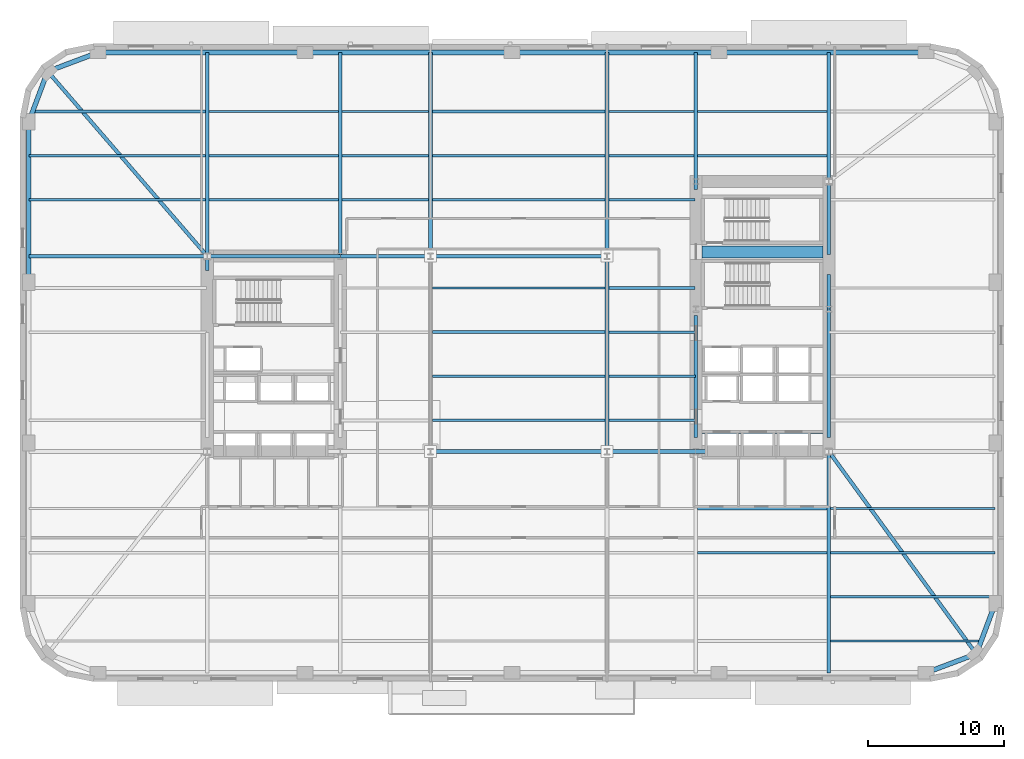
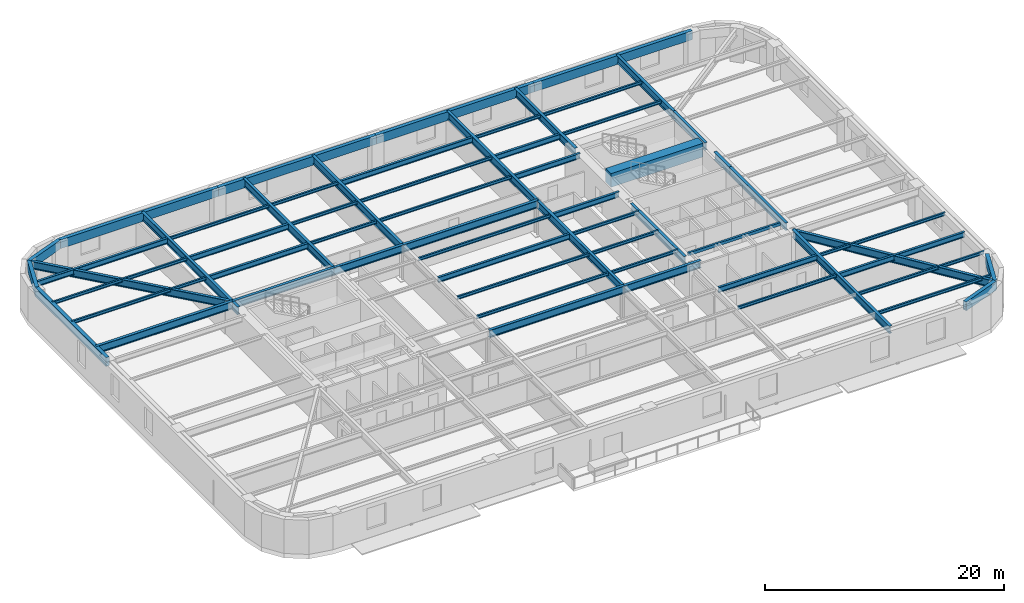
# One storey, part 2 of 15: 62 beams.
"""IFC4 building model written with IfcOpenShell, lengths in metres."""

from ifc_helpers import new_model, si_unit, direction, frame, origin, origin_2d, place, context, subcontext, project, spatial, rectangle, hollow_rectangle, i_section, extrude, material, material_profile, profile_set, type_object, element, save


model = new_model("IFC4")

# Units and contexts
model_context = context("Model", 3, precision=1e-05, world=origin(), true_north=direction((0.0, 1.0)))
body_context = subcontext(model_context, "Body", "Model", "MODEL_VIEW")
ifc_project = project(units=[si_unit("LENGTHUNIT", "METRE"), si_unit("AREAUNIT", "SQUARE_METRE"), si_unit("VOLUMEUNIT", "CUBIC_METRE"), si_unit("PLANEANGLEUNIT", "RADIAN"), si_unit("MASSUNIT", "GRAM", prefix="KILO")], contexts=[model_context])

# Site, building, storey
site_placement = place(None, origin())
site = spatial("IfcSite", under=ifc_project, at=site_placement, CompositionType="ELEMENT")
building_placement = place(site_placement, origin())
building = spatial("IfcBuilding", under=site, at=building_placement, Name="Kolvaren Arena Tower", CompositionType="ELEMENT")
storey_placement = place(building_placement, frame((0.0, 0.0, 42.0)))
storey = spatial("IfcBuildingStorey", under=building, at=storey_placement, Name="L07", CompositionType="ELEMENT", Elevation=42.0)

# Beams
ifc_material_1 = material(Name="Steel CSA G40.21 350W", Category="steel")
ifc_material_profile_1 = material_profile(ifc_material_1, i_section(OverallWidth=0.2119140625, OverallDepth=0.54296875, WebThickness=0.01318359375, FlangeThickness=0.0244140625, FilletRadius=0.013916015625, at=origin_2d()), Name="W530x150")
ifc_profile_set_1 = profile_set([ifc_material_profile_1], Name="Steel CSA G40.21 350W")
beam_type_1 = type_object("IfcBeamType", Name="BEAM-F1", PredefinedType="BEAM", material=ifc_profile_set_1)
beam_1_placement = place(storey_placement, frame((60.485107421875, 12.0, 3.20849609375), z_axis=(1.0, 0.0, 0.0), x_axis=(0.0, 1.0, 0.0)))
element("IfcBeam", 1, at=beam_1_placement, inside=storey, type_object=beam_type_1, Name="Composite Floor Beam (L07)", PredefinedType="BEAM", context=body_context, shape_type="SweptSolid", body=[
    extrude(i_section(OverallWidth=0.2119140625, OverallDepth=0.54296875, WebThickness=0.01318359375, FlangeThickness=0.0244140625, FilletRadius=0.013916015625, at=origin_2d()), origin(), (0.0, 0.0, 1.0), 12.114990234375),
])
beam_2_placement = place(storey_placement, frame((50.68505859375, 15.25, 3.20849609375), z_axis=(1.0, 0.0, 0.0), x_axis=(0.0, 1.0, 0.0)))
element("IfcBeam", 2, at=beam_2_placement, inside=storey, type_object=beam_type_1, Name="Composite Floor Beam (L07)", PredefinedType="BEAM", context=body_context, shape_type="SweptSolid", body=[
    extrude(i_section(OverallWidth=0.2119140625, OverallDepth=0.54296875, WebThickness=0.01318359375, FlangeThickness=0.0244140625, FilletRadius=0.013916015625, at=origin_2d()), origin(), (0.0, 0.0, 1.0), 9.530029296875),
])
beam_3_placement = place(storey_placement, frame((31.135009765625, 28.25, 3.20849609375), z_axis=(1.0, 0.0, 0.0), x_axis=(0.0, 1.0, 0.0)))
element("IfcBeam", 3, at=beam_3_placement, inside=storey, type_object=beam_type_1, Name="Composite Floor Beam (L07)", PredefinedType="BEAM", context=body_context, shape_type="SweptSolid", body=[
    extrude(i_section(OverallWidth=0.2119140625, OverallDepth=0.54296875, WebThickness=0.01318359375, FlangeThickness=0.0244140625, FilletRadius=0.013916015625, at=origin_2d()), origin(), (0.0, 0.0, 1.0), 12.72998046875),
])
beam_4_placement = place(storey_placement, frame((44.135009765625, 31.5, 3.20849609375), z_axis=(1.0, 0.0, 0.0), x_axis=(0.0, 1.0, 0.0)))
element("IfcBeam", 4, at=beam_4_placement, inside=storey, type_object=beam_type_1, Name="Composite Floor Beam (L07)", PredefinedType="BEAM", context=body_context, shape_type="SweptSolid", body=[
    extrude(i_section(OverallWidth=0.2119140625, OverallDepth=0.54296875, WebThickness=0.01318359375, FlangeThickness=0.0244140625, FilletRadius=0.013916015625, at=origin_2d()), origin(), (0.0, 0.0, 1.0), 6.344970703125),
])
beam_5_placement = place(storey_placement, frame((14.68505859375, 38.0, 3.20849609375), z_axis=(1.0, 0.0, 0.0), x_axis=(0.0, 1.0, 0.0)))
element("IfcBeam", 5, at=beam_5_placement, inside=storey, type_object=beam_type_1, Name="Composite Floor Beam (L07)", PredefinedType="BEAM", context=body_context, shape_type="SweptSolid", body=[
    extrude(i_section(OverallWidth=0.2119140625, OverallDepth=0.54296875, WebThickness=0.01318359375, FlangeThickness=0.0244140625, FilletRadius=0.013916015625, at=origin_2d()), origin(), (0.0, 0.0, 1.0), 9.530029296875),
])
beam_6_placement = place(storey_placement, frame((44.135009765625, 38.0, 3.20849609375), z_axis=(1.0, 0.0, 0.0), x_axis=(0.0, 1.0, 0.0)))
element("IfcBeam", 6, at=beam_6_placement, inside=storey, type_object=beam_type_1, Name="Composite Floor Beam (L07)", PredefinedType="BEAM", context=body_context, shape_type="SweptSolid", body=[
    extrude(i_section(OverallWidth=0.2119140625, OverallDepth=0.54296875, WebThickness=0.01318359375, FlangeThickness=0.0244140625, FilletRadius=0.013916015625, at=origin_2d()), origin(), (0.0, 0.0, 1.0), 6.344970703125),
])
beam_7_placement = place(storey_placement, frame((14.68505859375, 41.25, 3.20849609375), z_axis=(1.0, 0.0, 0.0), x_axis=(0.0, 1.0, 0.0)))
element("IfcBeam", 7, at=beam_7_placement, inside=storey, type_object=beam_type_1, Name="Composite Floor Beam (L07)", PredefinedType="BEAM", context=body_context, shape_type="SweptSolid", body=[
    extrude(i_section(OverallWidth=0.2119140625, OverallDepth=0.54296875, WebThickness=0.01318359375, FlangeThickness=0.0244140625, FilletRadius=0.013916015625, at=origin_2d()), origin(), (0.0, 0.0, 1.0), 9.530029296875),
])
beam_8_placement = place(storey_placement, frame((44.135009765625, 41.25, 3.20849609375), z_axis=(1.0, 0.0, 0.0), x_axis=(0.0, 1.0, 0.0)))
element("IfcBeam", 8, at=beam_8_placement, inside=storey, type_object=beam_type_1, Name="Composite Floor Beam (L07)", PredefinedType="BEAM", context=body_context, shape_type="SweptSolid", body=[
    extrude(i_section(OverallWidth=0.2119140625, OverallDepth=0.54296875, WebThickness=0.01318359375, FlangeThickness=0.0244140625, FilletRadius=0.013916015625, at=origin_2d()), origin(), (0.0, 0.0, 1.0), 6.280029296875),
])
beam_9_placement = place(storey_placement, frame((1.681396484375, 44.5, 3.20849609375), z_axis=(1.0, 0.0, 0.0), x_axis=(0.0, 1.0, 0.0)))
element("IfcBeam", 9, at=beam_9_placement, inside=storey, type_object=beam_type_1, Name="Composite Floor Beam (L07)", PredefinedType="BEAM", context=body_context, shape_type="SweptSolid", body=[
    extrude(i_section(OverallWidth=0.2119140625, OverallDepth=0.54296875, WebThickness=0.01318359375, FlangeThickness=0.0244140625, FilletRadius=0.013916015625, at=origin_2d()), origin(), (0.0, 0.0, 1.0), 12.733642578125),
])
beam_10_placement = place(storey_placement, frame((31.135009765625, 44.5, 3.20849609375), z_axis=(1.0, 0.0, 0.0), x_axis=(0.0, 1.0, 0.0)))
element("IfcBeam", 10, at=beam_10_placement, inside=storey, type_object=beam_type_1, Name="Composite Floor Beam (L07)", PredefinedType="BEAM", context=body_context, shape_type="SweptSolid", body=[
    extrude(i_section(OverallWidth=0.2119140625, OverallDepth=0.54296875, WebThickness=0.01318359375, FlangeThickness=0.0244140625, FilletRadius=0.013916015625, at=origin_2d()), origin(), (0.0, 0.0, 1.0), 12.72998046875),
])
ifc_material_2 = material(Name="Concrete 75 MPa", Category="concrete")
ifc_material_profile_2 = material_profile(ifc_material_2, rectangle(XDim=0.89990234375, YDim=1.39990234375, at=origin_2d()), Name="RC-900x1400")
ifc_profile_set_2 = profile_set([ifc_material_profile_2], Name="Concrete 75 MPa")
beam_type_2 = type_object("IfcBeamType", Name="CB-CORE-1", PredefinedType="BEAM", material=ifc_profile_set_2)
beam_11_placement = place(storey_placement, frame((51.0, 34.14990234375, 3.050048828125), z_axis=(1.0, 0.0, 0.0), x_axis=(0.0, 1.0, 0.0)))
element("IfcBeam", 11, at=beam_11_placement, inside=storey, type_object=beam_type_2, Name="East Core Coupling Beam (L07)", PredefinedType="BEAM", context=body_context, shape_type="SweptSolid", body=[
    extrude(rectangle(XDim=0.89990234375, YDim=1.39990234375, at=origin_2d()), origin(), (0.0, 0.0, 1.0), 8.89990234375),
])
ifc_material_profile_3 = material_profile(ifc_material_1, i_section(OverallWidth=0.27001953125, OverallDepth=0.77294921875, WebThickness=0.019287109375, FlangeThickness=0.033447265625, FilletRadius=0.01806640625, at=origin_2d()), Name="W760x257")
ifc_profile_set_3 = profile_set([ifc_material_profile_3], Name="Steel CSA G40.21 350W")
beam_type_3 = type_object("IfcBeamType", Name="GIRD-T1", PredefinedType="BEAM", material=ifc_profile_set_3)
beam_12_placement = place(storey_placement, frame((71.208740234375, 4.541259765625, 3.093505859375), z_axis=(-0.588737448901, 0.80832432616, 0.0), x_axis=(-0.80832432616, -0.588737448901, 0.0)))
element("IfcBeam", 12, at=beam_12_placement, inside=storey, type_object=beam_type_3, Name="Corner Diagonal Tie Girder (L07)", PredefinedType="BEAM", context=body_context, shape_type="SweptSolid", body=[
    extrude(i_section(OverallWidth=0.27001953125, OverallDepth=0.77294921875, WebThickness=0.019287109375, FlangeThickness=0.033447265625, FilletRadius=0.01806640625, at=origin_2d()), origin(), (0.0, 0.0, 1.0), 18.44384765625),
])
beam_13_placement = place(storey_placement, frame((2.791259765625, 47.458740234375, 3.093505859375), z_axis=(0.653806810332, -0.756661519283, 0.0), x_axis=(0.756661519283, 0.653806810332, 0.0)))
element("IfcBeam", 13, at=beam_13_placement, inside=storey, type_object=beam_type_3, Name="Corner Diagonal Tie Girder (L07)", PredefinedType="BEAM", context=body_context, shape_type="SweptSolid", body=[
    extrude(i_section(OverallWidth=0.27001953125, OverallDepth=0.77294921875, WebThickness=0.019287109375, FlangeThickness=0.033447265625, FilletRadius=0.01806640625, at=origin_2d()), origin(), (0.0, 0.0, 1.0), 17.985107421875),
])
beam_14_placement = place(storey_placement, frame((31.0, 19.449951171875, 3.093505859375), z_axis=(1.0, 0.0, 0.0), x_axis=(0.0, 1.0, 0.0)))
element("IfcBeam", 14, at=beam_14_placement, inside=storey, type_object=beam_type_3, Name="Primary Floor Girder (L07)", PredefinedType="BEAM", context=body_context, shape_type="SweptSolid", body=[
    extrude(i_section(OverallWidth=0.27001953125, OverallDepth=0.77294921875, WebThickness=0.019287109375, FlangeThickness=0.033447265625, FilletRadius=0.01806640625, at=origin_2d()), origin(), (0.0, 0.0, 1.0), 13.0),
])
beam_15_placement = place(storey_placement, frame((44.0, 19.449951171875, 3.093505859375), z_axis=(1.0, 0.0, 0.0), x_axis=(0.0, 1.0, 0.0)))
element("IfcBeam", 15, at=beam_15_placement, inside=storey, type_object=beam_type_3, Name="Primary Floor Girder (L07)", PredefinedType="BEAM", context=body_context, shape_type="SweptSolid", body=[
    extrude(i_section(OverallWidth=0.27001953125, OverallDepth=0.77294921875, WebThickness=0.019287109375, FlangeThickness=0.033447265625, FilletRadius=0.01806640625, at=origin_2d()), origin(), (0.0, 0.0, 1.0), 7.4150390625),
])
beam_16_placement = place(storey_placement, frame((1.39990234375, 33.85009765625, 3.093505859375), z_axis=(1.0, 0.0, 0.0), x_axis=(0.0, 1.0, 0.0)))
element("IfcBeam", 16, at=beam_16_placement, inside=storey, type_object=beam_type_3, Name="Primary Floor Girder (L07)", PredefinedType="BEAM", context=body_context, shape_type="SweptSolid", body=[
    extrude(i_section(OverallWidth=0.27001953125, OverallDepth=0.77294921875, WebThickness=0.019287109375, FlangeThickness=0.033447265625, FilletRadius=0.01806640625, at=origin_2d()), origin(), (0.0, 0.0, 1.0), 13.150146484375),
])
beam_17_placement = place(storey_placement, frame((14.550048828125, 33.85009765625, 3.093505859375), z_axis=(1.0, 0.0, 0.0), x_axis=(0.0, 1.0, 0.0)))
element("IfcBeam", 17, at=beam_17_placement, inside=storey, type_object=beam_type_3, Name="Primary Floor Girder (L07)", PredefinedType="BEAM", context=body_context, shape_type="SweptSolid", body=[
    extrude(i_section(OverallWidth=0.27001953125, OverallDepth=0.77294921875, WebThickness=0.019287109375, FlangeThickness=0.033447265625, FilletRadius=0.01806640625, at=origin_2d()), origin(), (0.0, 0.0, 1.0), 9.800048828125),
])
beam_18_placement = place(storey_placement, frame((24.35009765625, 33.85009765625, 3.093505859375), z_axis=(1.0, 0.0, 0.0), x_axis=(0.0, 1.0, 0.0)))
element("IfcBeam", 18, at=beam_18_placement, inside=storey, type_object=beam_type_3, Name="Primary Floor Girder (L07)", PredefinedType="BEAM", context=body_context, shape_type="SweptSolid", body=[
    extrude(i_section(OverallWidth=0.27001953125, OverallDepth=0.77294921875, WebThickness=0.019287109375, FlangeThickness=0.033447265625, FilletRadius=0.01806640625, at=origin_2d()), origin(), (0.0, 0.0, 1.0), 6.64990234375),
])
beam_19_placement = place(storey_placement, frame((31.0, 33.85009765625, 3.093505859375), z_axis=(1.0, 0.0, 0.0), x_axis=(0.0, 1.0, 0.0)))
element("IfcBeam", 19, at=beam_19_placement, inside=storey, type_object=beam_type_3, Name="Primary Floor Girder (L07)", PredefinedType="BEAM", context=body_context, shape_type="SweptSolid", body=[
    extrude(i_section(OverallWidth=0.27001953125, OverallDepth=0.77294921875, WebThickness=0.019287109375, FlangeThickness=0.033447265625, FilletRadius=0.01806640625, at=origin_2d()), origin(), (0.0, 0.0, 1.0), 13.0),
])
beam_20_placement = place(storey_placement, frame((14.550048828125, 32.7900390625, 3.093505859375), z_axis=(0.0, 1.0, 0.0), x_axis=(-1.0, 0.0, 0.0)))
element("IfcBeam", 20, at=beam_20_placement, inside=storey, type_object=beam_type_3, Name="Primary Floor Girder (L07)", PredefinedType="BEAM", context=body_context, shape_type="SweptSolid", body=[
    extrude(i_section(OverallWidth=0.27001953125, OverallDepth=0.77294921875, WebThickness=0.019287109375, FlangeThickness=0.033447265625, FilletRadius=0.01806640625, at=origin_2d()), origin(), (0.0, 0.0, 1.0), 16.06005859375),
])
for number, where, z_axis, x_axis, name in (
    (21, (24.35009765625, 33.85009765625, 3.093505859375), (0.0, 1.0, 0.0), (-1.0, 0.0, 0.0), "Primary Floor Girder (L07)"),
    (22, (31.0, 33.85009765625, 3.093505859375), (0.0, 1.0, 0.0), (-1.0, 0.0, 0.0), "Primary Floor Girder (L07)"),
):
    element("IfcBeam", number, at=place(storey_placement, frame(where, z_axis=z_axis, x_axis=x_axis)), inside=storey, type_object=beam_type_3, Name=name, PredefinedType="BEAM", context=body_context, shape_type="SweptSolid", body=[
        extrude(i_section(OverallWidth=0.27001953125, OverallDepth=0.77294921875, WebThickness=0.019287109375, FlangeThickness=0.033447265625, FilletRadius=0.01806640625, at=origin_2d()), origin(), (0.0, 0.0, 1.0), 15.0),
    ])
beam_21_placement = place(storey_placement, frame((44.0, 19.449951171875, 3.093505859375), z_axis=(0.0, 1.0, 0.0), x_axis=(-1.0, 0.0, 0.0)))
element("IfcBeam", 23, at=beam_21_placement, inside=storey, type_object=beam_type_3, Name="Primary Floor Girder (L07)", PredefinedType="BEAM", context=body_context, shape_type="SweptSolid", body=[
    extrude(i_section(OverallWidth=0.27001953125, OverallDepth=0.77294921875, WebThickness=0.019287109375, FlangeThickness=0.033447265625, FilletRadius=0.01806640625, at=origin_2d()), origin(), (0.0, 0.0, 1.0), 14.400146484375),
])
beam_22_placement = place(storey_placement, frame((44.0, 33.85009765625, 3.093505859375), z_axis=(0.0, 1.0, 0.0), x_axis=(-1.0, 0.0, 0.0)))
element("IfcBeam", 24, at=beam_22_placement, inside=storey, type_object=beam_type_3, Name="Primary Floor Girder (L07)", PredefinedType="BEAM", context=body_context, shape_type="SweptSolid", body=[
    extrude(i_section(OverallWidth=0.27001953125, OverallDepth=0.77294921875, WebThickness=0.019287109375, FlangeThickness=0.033447265625, FilletRadius=0.01806640625, at=origin_2d()), origin(), (0.0, 0.0, 1.0), 15.0),
])
beam_23_placement = place(storey_placement, frame((50.550048828125, 20.5, 3.093505859375), z_axis=(0.0, 1.0, 0.0), x_axis=(-1.0, 0.0, 0.0)))
element("IfcBeam", 25, at=beam_23_placement, inside=storey, type_object=beam_type_3, Name="Primary Floor Girder (L07)", PredefinedType="BEAM", context=body_context, shape_type="SweptSolid", body=[
    extrude(i_section(OverallWidth=0.27001953125, OverallDepth=0.77294921875, WebThickness=0.019287109375, FlangeThickness=0.033447265625, FilletRadius=0.01806640625, at=origin_2d()), origin(), (0.0, 0.0, 1.0), 8.989990234375),
])
beam_24_placement = place(storey_placement, frame((50.550048828125, 38.760009765625, 3.093505859375), z_axis=(0.0, 1.0, 0.0), x_axis=(-1.0, 0.0, 0.0)))
element("IfcBeam", 26, at=beam_24_placement, inside=storey, type_object=beam_type_3, Name="Primary Floor Girder (L07)", PredefinedType="BEAM", context=body_context, shape_type="SweptSolid", body=[
    extrude(i_section(OverallWidth=0.27001953125, OverallDepth=0.77294921875, WebThickness=0.019287109375, FlangeThickness=0.033447265625, FilletRadius=0.01806640625, at=origin_2d()), origin(), (0.0, 0.0, 1.0), 10.090087890625),
])
beam_25_placement = place(storey_placement, frame((60.35009765625, 3.14990234375, 3.093505859375), z_axis=(0.0, 1.0, 0.0), x_axis=(-1.0, 0.0, 0.0)))
element("IfcBeam", 27, at=beam_25_placement, inside=storey, type_object=beam_type_3, Name="Primary Floor Girder (L07)", PredefinedType="BEAM", context=body_context, shape_type="SweptSolid", body=[
    extrude(i_section(OverallWidth=0.27001953125, OverallDepth=0.77294921875, WebThickness=0.019287109375, FlangeThickness=0.033447265625, FilletRadius=0.01806640625, at=origin_2d()), origin(), (0.0, 0.0, 1.0), 16.300048828125),
])
beam_26_placement = place(storey_placement, frame((60.35009765625, 20.5, 3.093505859375), z_axis=(0.0, 1.0, 0.0), x_axis=(-1.0, 0.0, 0.0)))
element("IfcBeam", 28, at=beam_26_placement, inside=storey, type_object=beam_type_3, Name="Primary Floor Girder (L07)", PredefinedType="BEAM", context=body_context, shape_type="SweptSolid", body=[
    extrude(i_section(OverallWidth=0.27001953125, OverallDepth=0.77294921875, WebThickness=0.019287109375, FlangeThickness=0.033447265625, FilletRadius=0.01806640625, at=origin_2d()), origin(), (0.0, 0.0, 1.0), 9.449951171875),
])
beam_27_placement = place(storey_placement, frame((60.35009765625, 29.949951171875, 3.093505859375), z_axis=(0.0, 1.0, 0.0), x_axis=(-1.0, 0.0, 0.0)))
element("IfcBeam", 29, at=beam_27_placement, inside=storey, type_object=beam_type_3, Name="Primary Floor Girder (L07)", PredefinedType="BEAM", context=body_context, shape_type="SweptSolid", body=[
    extrude(i_section(OverallWidth=0.27001953125, OverallDepth=0.77294921875, WebThickness=0.019287109375, FlangeThickness=0.033447265625, FilletRadius=0.01806640625, at=origin_2d()), origin(), (0.0, 0.0, 1.0), 2.550048828125),
])
beam_28_placement = place(storey_placement, frame((60.35009765625, 33.985107421875, 3.093505859375), z_axis=(0.0, 1.0, 0.0), x_axis=(-1.0, 0.0, 0.0)))
element("IfcBeam", 30, at=beam_28_placement, inside=storey, type_object=beam_type_3, Name="Primary Floor Girder (L07)", PredefinedType="BEAM", context=body_context, shape_type="SweptSolid", body=[
    extrude(i_section(OverallWidth=0.27001953125, OverallDepth=0.77294921875, WebThickness=0.019287109375, FlangeThickness=0.033447265625, FilletRadius=0.01806640625, at=origin_2d()), origin(), (0.0, 0.0, 1.0), 5.364990234375),
])
beam_29_placement = place(storey_placement, frame((60.35009765625, 39.35009765625, 3.093505859375), z_axis=(0.0, 1.0, 0.0), x_axis=(-1.0, 0.0, 0.0)))
element("IfcBeam", 31, at=beam_29_placement, inside=storey, type_object=beam_type_3, Name="Primary Floor Girder (L07)", PredefinedType="BEAM", context=body_context, shape_type="SweptSolid", body=[
    extrude(i_section(OverallWidth=0.27001953125, OverallDepth=0.77294921875, WebThickness=0.019287109375, FlangeThickness=0.033447265625, FilletRadius=0.01806640625, at=origin_2d()), origin(), (0.0, 0.0, 1.0), 9.5),
])
ifc_material_profile_4 = material_profile(ifc_material_1, i_section(OverallWidth=0.1669921875, OverallDepth=0.31689453125, WebThickness=0.007568359375, FlangeThickness=0.01318359375, FilletRadius=0.010009765625, at=origin_2d()), Name="W310x52")
ifc_profile_set_4 = profile_set([ifc_material_profile_4], Name="Steel CSA G40.21 350W")
beam_type_4 = type_object("IfcBeamType", Name="JOIST-02", PredefinedType="JOIST", material=ifc_profile_set_4)
beam_30_placement = place(storey_placement, frame((60.485107421875, 5.5, 3.321533203125), z_axis=(1.0, 0.0, 0.0), x_axis=(0.0, 1.0, 0.0)))
element("IfcBeam", 32, at=beam_30_placement, inside=storey, type_object=beam_type_4, Name="Composite Floor Joist (L07)", PredefinedType="JOIST", context=body_context, shape_type="SweptSolid", body=[
    extrude(i_section(OverallWidth=0.1669921875, OverallDepth=0.31689453125, WebThickness=0.007568359375, FlangeThickness=0.01318359375, FilletRadius=0.010009765625, at=origin_2d()), origin(), (0.0, 0.0, 1.0), 11.08349609375),
])
beam_31_placement = place(storey_placement, frame((60.485107421875, 8.75, 3.321533203125), z_axis=(1.0, 0.0, 0.0), x_axis=(0.0, 1.0, 0.0)))
element("IfcBeam", 33, at=beam_31_placement, inside=storey, type_object=beam_type_4, Name="Composite Floor Joist (L07)", PredefinedType="JOIST", context=body_context, shape_type="SweptSolid", body=[
    extrude(i_section(OverallWidth=0.1669921875, OverallDepth=0.31689453125, WebThickness=0.007568359375, FlangeThickness=0.01318359375, FilletRadius=0.010009765625, at=origin_2d()), origin(), (0.0, 0.0, 1.0), 12.114990234375),
])
beam_32_placement = place(storey_placement, frame((50.68505859375, 12.0, 3.321533203125), z_axis=(1.0, 0.0, 0.0), x_axis=(0.0, 1.0, 0.0)))
element("IfcBeam", 34, at=beam_32_placement, inside=storey, type_object=beam_type_4, Name="Composite Floor Joist (L07)", PredefinedType="JOIST", context=body_context, shape_type="SweptSolid", body=[
    extrude(i_section(OverallWidth=0.1669921875, OverallDepth=0.31689453125, WebThickness=0.007568359375, FlangeThickness=0.01318359375, FilletRadius=0.010009765625, at=origin_2d()), origin(), (0.0, 0.0, 1.0), 9.530029296875),
])
beam_33_placement = place(storey_placement, frame((60.485107421875, 15.25, 3.321533203125), z_axis=(1.0, 0.0, 0.0), x_axis=(0.0, 1.0, 0.0)))
element("IfcBeam", 35, at=beam_33_placement, inside=storey, type_object=beam_type_4, Name="Composite Floor Joist (L07)", PredefinedType="JOIST", context=body_context, shape_type="SweptSolid", body=[
    extrude(i_section(OverallWidth=0.1669921875, OverallDepth=0.31689453125, WebThickness=0.007568359375, FlangeThickness=0.01318359375, FilletRadius=0.010009765625, at=origin_2d()), origin(), (0.0, 0.0, 1.0), 12.114990234375),
])
beam_34_placement = place(storey_placement, frame((31.135009765625, 21.75, 3.321533203125), z_axis=(1.0, 0.0, 0.0), x_axis=(0.0, 1.0, 0.0)))
element("IfcBeam", 36, at=beam_34_placement, inside=storey, type_object=beam_type_4, Name="Composite Floor Joist (L07)", PredefinedType="JOIST", context=body_context, shape_type="SweptSolid", body=[
    extrude(i_section(OverallWidth=0.1669921875, OverallDepth=0.31689453125, WebThickness=0.007568359375, FlangeThickness=0.01318359375, FilletRadius=0.010009765625, at=origin_2d()), origin(), (0.0, 0.0, 1.0), 12.72998046875),
])
beam_35_placement = place(storey_placement, frame((44.135009765625, 21.75, 3.321533203125), z_axis=(1.0, 0.0, 0.0), x_axis=(0.0, 1.0, 0.0)))
element("IfcBeam", 37, at=beam_35_placement, inside=storey, type_object=beam_type_4, Name="Composite Floor Joist (L07)", PredefinedType="JOIST", context=body_context, shape_type="SweptSolid", body=[
    extrude(i_section(OverallWidth=0.1669921875, OverallDepth=0.31689453125, WebThickness=0.007568359375, FlangeThickness=0.01318359375, FilletRadius=0.010009765625, at=origin_2d()), origin(), (0.0, 0.0, 1.0), 6.39501953125),
])
beam_36_placement = place(storey_placement, frame((31.135009765625, 25.0, 3.321533203125), z_axis=(1.0, 0.0, 0.0), x_axis=(0.0, 1.0, 0.0)))
element("IfcBeam", 38, at=beam_36_placement, inside=storey, type_object=beam_type_4, Name="Composite Floor Joist (L07)", PredefinedType="JOIST", context=body_context, shape_type="SweptSolid", body=[
    extrude(i_section(OverallWidth=0.1669921875, OverallDepth=0.31689453125, WebThickness=0.007568359375, FlangeThickness=0.01318359375, FilletRadius=0.010009765625, at=origin_2d()), origin(), (0.0, 0.0, 1.0), 12.72998046875),
])
for number, where, z_axis, x_axis, name in (
    (39, (44.135009765625, 25.0, 3.321533203125), (1.0, 0.0, 0.0), (0.0, 1.0, 0.0), "Composite Floor Joist (L07)"),
    (40, (44.135009765625, 28.25, 3.321533203125), (1.0, 0.0, 0.0), (0.0, 1.0, 0.0), "Composite Floor Joist (L07)"),
):
    element("IfcBeam", number, at=place(storey_placement, frame(where, z_axis=z_axis, x_axis=x_axis)), inside=storey, type_object=beam_type_4, Name=name, PredefinedType="JOIST", context=body_context, shape_type="SweptSolid", body=[
        extrude(i_section(OverallWidth=0.1669921875, OverallDepth=0.31689453125, WebThickness=0.007568359375, FlangeThickness=0.01318359375, FilletRadius=0.010009765625, at=origin_2d()), origin(), (0.0, 0.0, 1.0), 6.39501953125),
    ])
beam_37_placement = place(storey_placement, frame((31.135009765625, 31.5, 3.321533203125), z_axis=(1.0, 0.0, 0.0), x_axis=(0.0, 1.0, 0.0)))
element("IfcBeam", 41, at=beam_37_placement, inside=storey, type_object=beam_type_4, Name="Composite Floor Joist (L07)", PredefinedType="JOIST", context=body_context, shape_type="SweptSolid", body=[
    extrude(i_section(OverallWidth=0.1669921875, OverallDepth=0.31689453125, WebThickness=0.007568359375, FlangeThickness=0.01318359375, FilletRadius=0.010009765625, at=origin_2d()), origin(), (0.0, 0.0, 1.0), 12.72998046875),
])
beam_38_placement = place(storey_placement, frame((1.39990234375, 38.0, 3.321533203125), z_axis=(1.0, 0.0, 0.0), x_axis=(0.0, 1.0, 0.0)))
element("IfcBeam", 42, at=beam_38_placement, inside=storey, type_object=beam_type_4, Name="Composite Floor Joist (L07)", PredefinedType="JOIST", context=body_context, shape_type="SweptSolid", body=[
    extrude(i_section(OverallWidth=0.1669921875, OverallDepth=0.31689453125, WebThickness=0.007568359375, FlangeThickness=0.01318359375, FilletRadius=0.010009765625, at=origin_2d()), origin(), (0.0, 0.0, 1.0), 13.01513671875),
])
beam_39_placement = place(storey_placement, frame((24.485107421875, 38.0, 3.321533203125), z_axis=(1.0, 0.0, 0.0), x_axis=(0.0, 1.0, 0.0)))
element("IfcBeam", 43, at=beam_39_placement, inside=storey, type_object=beam_type_4, Name="Composite Floor Joist (L07)", PredefinedType="JOIST", context=body_context, shape_type="SweptSolid", body=[
    extrude(i_section(OverallWidth=0.1669921875, OverallDepth=0.31689453125, WebThickness=0.007568359375, FlangeThickness=0.01318359375, FilletRadius=0.010009765625, at=origin_2d()), origin(), (0.0, 0.0, 1.0), 6.3798828125),
])
beam_40_placement = place(storey_placement, frame((31.135009765625, 38.0, 3.321533203125), z_axis=(1.0, 0.0, 0.0), x_axis=(0.0, 1.0, 0.0)))
element("IfcBeam", 44, at=beam_40_placement, inside=storey, type_object=beam_type_4, Name="Composite Floor Joist (L07)", PredefinedType="JOIST", context=body_context, shape_type="SweptSolid", body=[
    extrude(i_section(OverallWidth=0.1669921875, OverallDepth=0.31689453125, WebThickness=0.007568359375, FlangeThickness=0.01318359375, FilletRadius=0.010009765625, at=origin_2d()), origin(), (0.0, 0.0, 1.0), 12.72998046875),
])
beam_41_placement = place(storey_placement, frame((1.39990234375, 41.25, 3.321533203125), z_axis=(1.0, 0.0, 0.0), x_axis=(0.0, 1.0, 0.0)))
element("IfcBeam", 45, at=beam_41_placement, inside=storey, type_object=beam_type_4, Name="Composite Floor Joist (L07)", PredefinedType="JOIST", context=body_context, shape_type="SweptSolid", body=[
    extrude(i_section(OverallWidth=0.1669921875, OverallDepth=0.31689453125, WebThickness=0.007568359375, FlangeThickness=0.01318359375, FilletRadius=0.010009765625, at=origin_2d()), origin(), (0.0, 0.0, 1.0), 13.01513671875),
])
beam_42_placement = place(storey_placement, frame((24.485107421875, 41.25, 3.321533203125), z_axis=(1.0, 0.0, 0.0), x_axis=(0.0, 1.0, 0.0)))
element("IfcBeam", 46, at=beam_42_placement, inside=storey, type_object=beam_type_4, Name="Composite Floor Joist (L07)", PredefinedType="JOIST", context=body_context, shape_type="SweptSolid", body=[
    extrude(i_section(OverallWidth=0.1669921875, OverallDepth=0.31689453125, WebThickness=0.007568359375, FlangeThickness=0.01318359375, FilletRadius=0.010009765625, at=origin_2d()), origin(), (0.0, 0.0, 1.0), 6.3798828125),
])
beam_43_placement = place(storey_placement, frame((31.135009765625, 41.25, 3.321533203125), z_axis=(1.0, 0.0, 0.0), x_axis=(0.0, 1.0, 0.0)))
element("IfcBeam", 47, at=beam_43_placement, inside=storey, type_object=beam_type_4, Name="Composite Floor Joist (L07)", PredefinedType="JOIST", context=body_context, shape_type="SweptSolid", body=[
    extrude(i_section(OverallWidth=0.1669921875, OverallDepth=0.31689453125, WebThickness=0.007568359375, FlangeThickness=0.01318359375, FilletRadius=0.010009765625, at=origin_2d()), origin(), (0.0, 0.0, 1.0), 12.72998046875),
])
for number, where, z_axis, x_axis, name in (
    (48, (50.68505859375, 41.25, 3.321533203125), (1.0, 0.0, 0.0), (0.0, 1.0, 0.0), "Composite Floor Joist (L07)"),
    (49, (14.68505859375, 44.5, 3.321533203125), (1.0, 0.0, 0.0), (0.0, 1.0, 0.0), "Composite Floor Joist (L07)"),
):
    element("IfcBeam", number, at=place(storey_placement, frame(where, z_axis=z_axis, x_axis=x_axis)), inside=storey, type_object=beam_type_4, Name=name, PredefinedType="JOIST", context=body_context, shape_type="SweptSolid", body=[
        extrude(i_section(OverallWidth=0.1669921875, OverallDepth=0.31689453125, WebThickness=0.007568359375, FlangeThickness=0.01318359375, FilletRadius=0.010009765625, at=origin_2d()), origin(), (0.0, 0.0, 1.0), 9.530029296875),
    ])
beam_44_placement = place(storey_placement, frame((24.485107421875, 44.5, 3.321533203125), z_axis=(1.0, 0.0, 0.0), x_axis=(0.0, 1.0, 0.0)))
element("IfcBeam", 50, at=beam_44_placement, inside=storey, type_object=beam_type_4, Name="Composite Floor Joist (L07)", PredefinedType="JOIST", context=body_context, shape_type="SweptSolid", body=[
    extrude(i_section(OverallWidth=0.1669921875, OverallDepth=0.31689453125, WebThickness=0.007568359375, FlangeThickness=0.01318359375, FilletRadius=0.010009765625, at=origin_2d()), origin(), (0.0, 0.0, 1.0), 6.3798828125),
])
beam_45_placement = place(storey_placement, frame((44.135009765625, 44.5, 3.321533203125), z_axis=(1.0, 0.0, 0.0), x_axis=(0.0, 1.0, 0.0)))
element("IfcBeam", 51, at=beam_45_placement, inside=storey, type_object=beam_type_4, Name="Composite Floor Joist (L07)", PredefinedType="JOIST", context=body_context, shape_type="SweptSolid", body=[
    extrude(i_section(OverallWidth=0.1669921875, OverallDepth=0.31689453125, WebThickness=0.007568359375, FlangeThickness=0.01318359375, FilletRadius=0.010009765625, at=origin_2d()), origin(), (0.0, 0.0, 1.0), 6.280029296875),
])
beam_46_placement = place(storey_placement, frame((50.68505859375, 44.5, 3.321533203125), z_axis=(1.0, 0.0, 0.0), x_axis=(0.0, 1.0, 0.0)))
element("IfcBeam", 52, at=beam_46_placement, inside=storey, type_object=beam_type_4, Name="Composite Floor Joist (L07)", PredefinedType="JOIST", context=body_context, shape_type="SweptSolid", body=[
    extrude(i_section(OverallWidth=0.1669921875, OverallDepth=0.31689453125, WebThickness=0.007568359375, FlangeThickness=0.01318359375, FilletRadius=0.010009765625, at=origin_2d()), origin(), (0.0, 0.0, 1.0), 9.530029296875),
])
ifc_material_profile_5 = material_profile(ifc_material_1, hollow_rectangle(XDim=0.199951171875, YDim=0.300048828125, WallThickness=0.011962890625, at=origin_2d()), Name="HSS 300x200x12")
ifc_profile_set_5 = profile_set([ifc_material_profile_5], Name="Steel CSA G40.21 350W")
beam_type_5 = type_object("IfcBeamType", Name="LINT-01", PredefinedType="LINTEL", material=ifc_profile_set_5)
beam_47_placement = place(storey_placement, frame((51.0, 20.8798828125, 3.330078125), z_axis=(1.0, 0.0, 0.0), x_axis=(0.0, 1.0, 0.0)))
element("IfcBeam", 53, at=beam_47_placement, inside=storey, type_object=beam_type_5, Name="East Lift Lobby Portal Lintel (L07)", PredefinedType="LINTEL", context=body_context, shape_type="SweptSolid", body=[
    extrude(hollow_rectangle(XDim=0.199951171875, YDim=0.300048828125, WallThickness=0.011962890625, at=origin_2d()), origin(), (0.0, 0.0, 1.0), 8.89990234375),
])
ifc_material_3 = material(Name="Steel CSA G40.21 350WT", Category="steel")
ifc_material_profile_6 = material_profile(ifc_material_3, hollow_rectangle(XDim=0.35009765625, YDim=0.89990234375, WallThickness=0.02001953125, at=origin_2d()), Name="HSS 900x350x20")
ifc_profile_set_6 = profile_set([ifc_material_profile_6], Name="Steel CSA G40.21 350WT")
beam_type_6 = type_object("IfcBeamType", Name="SPAND-01", PredefinedType="SPANDREL", material=ifc_profile_set_6)
for number, where, z_axis, x_axis, name in (
    (54, (67.5, 3.14990234375, 3.030029296875), (0.93628104365, 0.351251771955, 0.0), (-0.351251771955, 0.93628104365, 0.0), "Perimeter Spandrel Beam (L07)"),
    (55, (71.208740234375, 4.541259765625, 3.030029296875), (0.351251771955, 0.93628104365, 0.0), (-0.93628104365, 0.351251771955, 0.0), "Perimeter Spandrel Beam (L07)"),
):
    element("IfcBeam", number, at=place(storey_placement, frame(where, z_axis=z_axis, x_axis=x_axis)), inside=storey, type_object=beam_type_6, Name=name, PredefinedType="SPANDREL", context=body_context, shape_type="SweptSolid", body=[
        extrude(hollow_rectangle(XDim=0.35009765625, YDim=0.89990234375, WallThickness=0.02001953125, at=origin_2d()), origin(), (0.0, 0.0, 1.0), 3.961181640625),
    ])
for number, where, z_axis, x_axis, name in (
    (56, (67.5, 48.85009765625, 3.030029296875), (-1.0, 0.0, 0.0), (0.0, -1.0, 0.0), "Perimeter Spandrel Beam (L07)"),
    (57, (52.25, 48.85009765625, 3.030029296875), (-1.0, 0.0, 0.0), (0.0, -1.0, 0.0), "Perimeter Spandrel Beam (L07)"),
    (58, (37.0, 48.85009765625, 3.030029296875), (-1.0, 0.0, 0.0), (0.0, -1.0, 0.0), "Perimeter Spandrel Beam (L07)"),
    (59, (21.75, 48.85009765625, 3.030029296875), (-1.0, 0.0, 0.0), (0.0, -1.0, 0.0), "Perimeter Spandrel Beam (L07)"),
):
    element("IfcBeam", number, at=place(storey_placement, frame(where, z_axis=z_axis, x_axis=x_axis)), inside=storey, type_object=beam_type_6, Name=name, PredefinedType="SPANDREL", context=body_context, shape_type="SweptSolid", body=[
        extrude(hollow_rectangle(XDim=0.35009765625, YDim=0.89990234375, WallThickness=0.02001953125, at=origin_2d()), origin(), (0.0, 0.0, 1.0), 15.25),
    ])
for number, where, z_axis, x_axis, name in (
    (60, (6.5, 48.85009765625, 3.030029296875), (-0.93628104365, -0.351251771955, 0.0), (0.351251771955, -0.93628104365, 0.0), "Perimeter Spandrel Beam (L07)"),
    (61, (2.791259765625, 47.458740234375, 3.030029296875), (-0.351251771955, -0.93628104365, 0.0), (0.93628104365, -0.351251771955, 0.0), "Perimeter Spandrel Beam (L07)"),
):
    element("IfcBeam", number, at=place(storey_placement, frame(where, z_axis=z_axis, x_axis=x_axis)), inside=storey, type_object=beam_type_6, Name=name, PredefinedType="SPANDREL", context=body_context, shape_type="SweptSolid", body=[
        extrude(hollow_rectangle(XDim=0.35009765625, YDim=0.89990234375, WallThickness=0.02001953125, at=origin_2d()), origin(), (0.0, 0.0, 1.0), 3.961181640625),
    ])
beam_48_placement = place(storey_placement, frame((1.39990234375, 43.75, 3.030029296875), z_axis=(0.0, -1.0, 0.0), x_axis=(1.0, 0.0, 0.0)))
element("IfcBeam", 62, at=beam_48_placement, inside=storey, type_object=beam_type_6, Name="Perimeter Spandrel Beam (L07)", PredefinedType="SPANDREL", context=body_context, shape_type="SweptSolid", body=[
    extrude(hollow_rectangle(XDim=0.35009765625, YDim=0.89990234375, WallThickness=0.02001953125, at=origin_2d()), origin(), (0.0, 0.0, 1.0), 11.833251953125),
])

save(model, "model.ifc")
